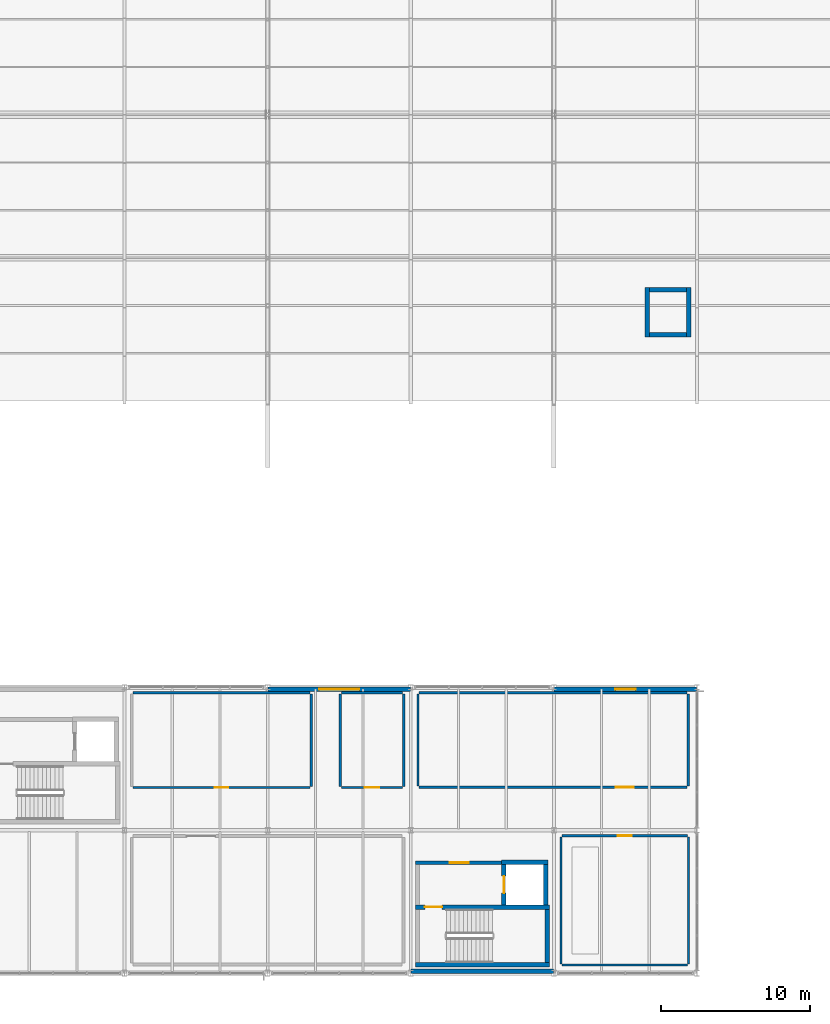
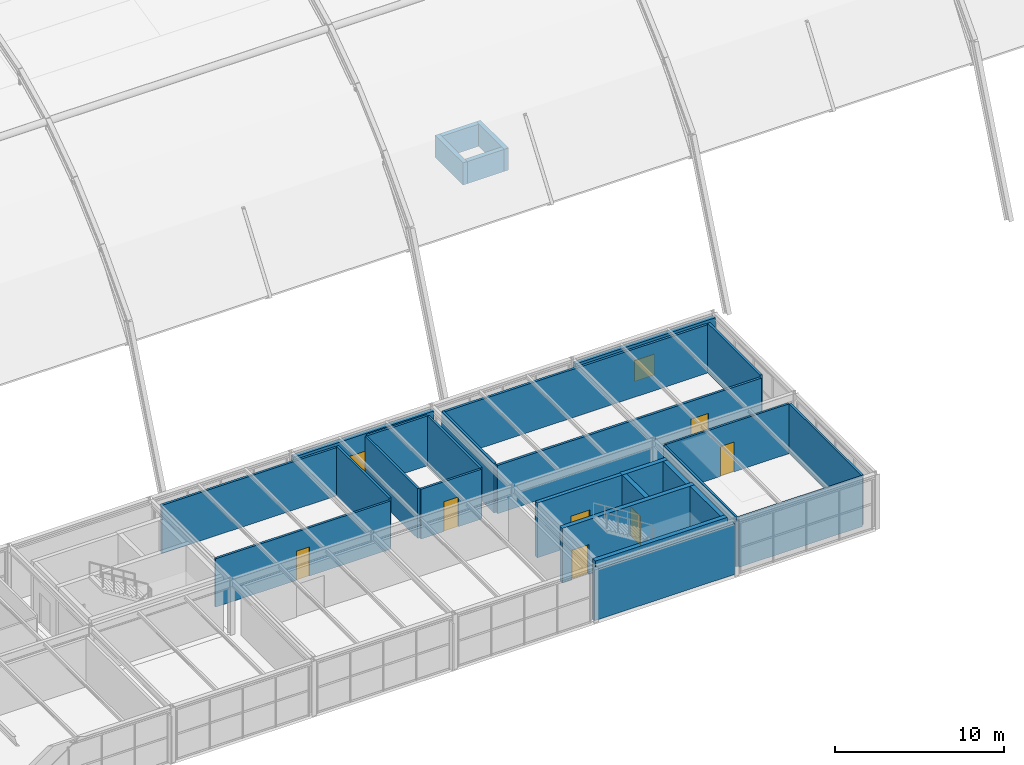
# One storey, part 118 of 126: 29 walls, 7 doors, 2 windows, 9 openings.
"""IFC4 building model written with IfcOpenShell, lengths in metres."""

from ifc_helpers import new_model, si_unit, direction, frame, frame_2d, origin, place, context, subcontext, project, spatial, rectangle, extrude, material, layer, layer_set, type_object, element, fill, save


model = new_model("IFC4")

# Units and contexts
model_context = context("Model", 3, precision=1e-05, world=origin(), true_north=direction((0.0, 1.0)))
body_context = subcontext(model_context, "Body", "Model", "MODEL_VIEW")
ifc_project = project(units=[si_unit("LENGTHUNIT", "METRE"), si_unit("AREAUNIT", "SQUARE_METRE"), si_unit("VOLUMEUNIT", "CUBIC_METRE"), si_unit("PLANEANGLEUNIT", "RADIAN"), si_unit("MASSUNIT", "GRAM", prefix="KILO")], contexts=[model_context])

# Site, building, storey
site_placement = place(None, origin())
site = spatial("IfcSite", under=ifc_project, at=site_placement, CompositionType="ELEMENT")
building_placement = place(site_placement, origin())
building = spatial("IfcBuilding", under=site, at=building_placement, Name="Coralgate Yard Interchange", CompositionType="ELEMENT")
storey_placement = place(building_placement, frame((0.0, 0.0, 10.5)))
storey = spatial("IfcBuildingStorey", under=building, at=storey_placement, Name="L02", CompositionType="ELEMENT", Elevation=10.5)

# Wall
ifc_material_1 = material(Name="Concrete C40/50", Category="concrete")
ifc_layer_1 = layer(ifc_material_1, 0.300048828125)
ifc_layer_set_1 = layer_set([ifc_layer_1], Name="Concrete C40/50")
wall_type_1 = type_object("IfcWallType", Name="WAL-CW300", PredefinedType="SHEAR", material=ifc_layer_set_1)
wall_1_placement = place(storey_placement, frame((77.10009765625, 0.570068359375, 0.0), z_axis=(0.0, 0.0, 1.0), x_axis=(1.0, 0.0, 0.0)))
element("IfcWall", 1, at=wall_1_placement, inside=storey, type_object=wall_type_1, Name="C4 L02 stair south shear wall", PredefinedType="SHEAR", context=body_context, shape_type="SweptSolid", body=[
    extrude(rectangle(XDim=9.0, YDim=0.300048828125, at=frame_2d((4.5, 0.0))), origin(), (0.0, 0.0, 1.0), 3.949951171875),
])

# Wall, opening, door
wall_2_placement = place(storey_placement, frame((86.10009765625, 4.449951171875, 0.0), z_axis=(0.0, 0.0, 1.0), x_axis=(-1.0, 0.0, 0.0)))
wall_2 = element("IfcWall", 2, at=wall_2_placement, inside=storey, type_object=wall_type_1, Name="C4 L02 stair north shear wall", PredefinedType="SHEAR", context=body_context, shape_type="SweptSolid", body=[
    extrude(rectangle(XDim=9.0, YDim=0.300048828125, at=frame_2d((4.5, 0.0))), origin(), (0.0, 0.0, 1.0), 3.949951171875),
])
opening_1_placement = place(wall_2_placement, frame((7.199951171875, 0.0, 0.0)))
opening_1 = element("IfcOpeningElement", 3, at=opening_1_placement, cuts=wall_2, Name="Opening FD-1B", PredefinedType="OPENING", context=body_context, shape_type="SweptSolid", body=[
    extrude(rectangle(XDim=1.14990234375, YDim=2.14990234375, at=frame_2d((0.574951171875, 1.074951171875))), frame((0.0, 0.159912109375, 0.0), z_axis=(0.0, -1.0, 0.0), x_axis=(1.0, 0.0, 0.0)), (0.0, 0.0, 1.0), 0.320068359375),
])
ifc_material_2 = material(Name="Powder-coated steel fire door assembly", Category="steel")
door_type_1 = type_object("IfcDoorType", Name="DOR-FD-1B", OperationType="NOTDEFINED", PredefinedType="DOOR", material=ifc_material_2)
door_1_placement = place(opening_1_placement, frame((1.14990234375, 0.0, 0.0), z_axis=(0.0, 0.0, 1.0), x_axis=(-1.0, 0.0, 0.0)))
door_1 = element("IfcDoor", 4, at=door_1_placement, inside=storey, type_object=door_type_1, Name="C4 L02 stair fire door", OperationType="SINGLE_SWING_RIGHT", OverallHeight=2.14990234375, OverallWidth=1.14990234375, PredefinedType="DOOR", context=body_context, shape_type="SweptSolid", body=[
    extrude(rectangle(XDim=1.14990234375, YDim=2.14990234375, at=frame_2d((0.574951171875, 1.074951171875))), frame((0.0, 0.02490234375, 0.0), z_axis=(0.0, -1.0, 0.0), x_axis=(1.0, 0.0, 0.0)), (0.0, 0.0, 1.0), 0.050048828125),
])
fill(opening_1, door_1)

# Wall
wall_3_placement = place(storey_placement, frame((85.949951171875, 4.300048828125, 0.0), z_axis=(0.0, 0.0, 1.0), x_axis=(0.0, -1.0, 0.0)))
element("IfcWall", 5, at=wall_3_placement, inside=storey, type_object=wall_type_1, Name="C4 L02 stair east shear wall", PredefinedType="SHEAR", context=body_context, shape_type="SweptSolid", body=[
    extrude(rectangle(XDim=3.580078125, YDim=0.300048828125, at=frame_2d((1.7900390625, 0.0))), origin(), (0.0, 0.0, 1.0), 3.949951171875),
])

# Wall, opening, door
wall_4_placement = place(storey_placement, frame((83.050048828125, 7.300048828125, 0.0), z_axis=(0.0, 0.0, 1.0), x_axis=(0.0, -1.0, 0.0)))
wall_4 = element("IfcWall", 6, at=wall_4_placement, inside=storey, type_object=wall_type_1, Name="C4 L02 lift front shear wall", PredefinedType="SHEAR", context=body_context, shape_type="SweptSolid", body=[
    extrude(rectangle(XDim=2.699951171875, YDim=0.300048828125, at=frame_2d((1.35009765625, 0.0))), origin(), (0.0, 0.0, 1.0), 3.949951171875),
])
opening_2_placement = place(wall_4_placement, frame((0.77490234375, 0.0, 0.0)))
opening_2 = element("IfcOpeningElement", 7, at=opening_2_placement, cuts=wall_4, Name="Opening LD-2", PredefinedType="OPENING", context=body_context, shape_type="SweptSolid", body=[
    extrude(rectangle(XDim=1.14990234375, YDim=2.10009765625, at=frame_2d((0.574951171875, 1.050048828125))), frame((0.0, 0.159912109375, 0.0), z_axis=(0.0, -1.0, 0.0), x_axis=(1.0, 0.0, 0.0)), (0.0, 0.0, 1.0), 0.320068359375),
])
ifc_material_3 = material(Name="Brushed stainless steel passenger lift landing door", Category="steel")
door_type_2 = type_object("IfcDoorType", Name="DOR-LD-2", OperationType="DOUBLE_DOOR_SLIDING", PredefinedType="DOOR", material=ifc_material_3)
door_2_placement = place(opening_2_placement, frame((1.14990234375, 0.0, 0.0), z_axis=(0.0, 0.0, 1.0), x_axis=(-1.0, 0.0, 0.0)))
door_2 = element("IfcDoor", 8, at=door_2_placement, inside=storey, type_object=door_type_2, Name="LF-02 L02 sliding lift landing door", OperationType="DOUBLE_DOOR_SLIDING", OverallHeight=2.10009765625, OverallWidth=1.14990234375, PredefinedType="DOOR", context=body_context, shape_type="SweptSolid", body=[
    extrude(rectangle(XDim=1.14990234375, YDim=2.10009765625, at=frame_2d((0.574951171875, 1.050048828125))), frame((0.0, 0.02490234375, 0.0), z_axis=(0.0, -1.0, 0.0), x_axis=(1.0, 0.0, 0.0)), (0.0, 0.0, 1.0), 0.050048828125),
])
fill(opening_2, door_2)

# Walls
wall_5_placement = place(storey_placement, frame((85.85009765625, 4.60009765625, 0.0), z_axis=(0.0, 0.0, 1.0), x_axis=(0.0, 1.0, 0.0)))
element("IfcWall", 9, at=wall_5_placement, inside=storey, type_object=wall_type_1, Name="C4 L02 lift rear shear wall", PredefinedType="SHEAR", context=body_context, shape_type="SweptSolid", body=[
    extrude(rectangle(XDim=2.699951171875, YDim=0.300048828125, at=frame_2d((1.35009765625, 0.0))), origin(), (0.0, 0.0, 1.0), 3.949951171875),
])
wall_6_placement = place(storey_placement, frame((82.89990234375, 7.449951171875, 0.0), z_axis=(0.0, 0.0, 1.0), x_axis=(1.0, 0.0, 0.0)))
element("IfcWall", 10, at=wall_6_placement, inside=storey, type_object=wall_type_1, Name="C4 L02 lift north shear wall", PredefinedType="SHEAR", context=body_context, shape_type="SweptSolid", body=[
    extrude(rectangle(XDim=3.10009765625, YDim=0.300048828125, at=frame_2d((1.550048828125, 0.0))), origin(), (0.0, 0.0, 1.0), 3.949951171875),
])
for number, where, z_axis, x_axis, name in (
    (11, (92.64990234375, 42.699951171875, 0.0), (0.0, 0.0, 1.0), (0.0, 1.0, 0.0), "LF-04 lift overrun wall W"),
    (12, (95.449951171875, 42.699951171875, 0.0), (0.0, 0.0, 1.0), (0.0, 1.0, 0.0), "LF-04 lift overrun wall E"),
):
    element("IfcWall", number, at=place(storey_placement, frame(where, z_axis=z_axis, x_axis=x_axis)), inside=storey, type_object=wall_type_1, Name=name, PredefinedType="SHEAR", context=body_context, shape_type="SweptSolid", body=[
        extrude(rectangle(XDim=3.300048828125, YDim=0.300048828125, at=frame_2d((1.64990234375, 0.0))), origin(), (0.0, 0.0, 1.0), 1.60009765625),
    ])
for number, where, z_axis, x_axis, name in (
    (13, (92.800048828125, 42.85009765625, 0.0), (0.0, 0.0, 1.0), (1.0, 0.0, 0.0), "LF-04 lift overrun wall S"),
    (14, (92.800048828125, 45.85009765625, 0.0), (0.0, 0.0, 1.0), (1.0, 0.0, 0.0), "LF-04 lift overrun wall N"),
):
    element("IfcWall", number, at=place(storey_placement, frame(where, z_axis=z_axis, x_axis=x_axis)), inside=storey, type_object=wall_type_1, Name=name, PredefinedType="SHEAR", context=body_context, shape_type="SweptSolid", body=[
        extrude(rectangle(XDim=2.5, YDim=0.300048828125, at=frame_2d((1.25, 0.0))), origin(), (0.0, 0.0, 1.0), 1.60009765625),
    ])

# Wall, opening, window
ifc_material_4 = material(Name="Precast concrete C40/50", Category="concrete")
ifc_layer_2 = layer(ifc_material_4, 0.280029296875)
ifc_layer_set_2 = layer_set([ifc_layer_2], Name="Precast concrete C40/50")
wall_type_2 = type_object("IfcWallType", Name="WAL-EW-280", PredefinedType="SOLIDWALL", material=ifc_layer_set_2)
wall_7_placement = place(storey_placement, frame((67.219970703125, 19.06005859375, 0.0), z_axis=(0.0, 0.0, 1.0), x_axis=(1.0, 0.0, 0.0)))
wall_7 = element("IfcWall", 15, at=wall_7_placement, inside=storey, type_object=wall_type_2, Name="L02 exterior coastal wall N 7-1", PredefinedType="SOLIDWALL", context=body_context, shape_type="SweptSolid", body=[
    extrude(rectangle(XDim=9.56005859375, YDim=0.280029296875, at=frame_2d((4.780029296875, 0.0))), origin(), (0.0, 0.0, 1.0), 3.659912109375),
])
opening_3_placement = place(wall_7_placement, frame((3.429931640625, 0.0, 0.89990234375)))
opening_3 = element("IfcOpeningElement", 16, at=opening_3_placement, cuts=wall_7, Name="Opening W-09", PredefinedType="OPENING", context=body_context, shape_type="SweptSolid", body=[
    extrude(rectangle(XDim=2.699951171875, YDim=1.5, at=frame_2d((1.35009765625, 0.75))), frame((0.0, 0.14990234375, 0.0), z_axis=(0.0, -1.0, 0.0), x_axis=(1.0, 0.0, 0.0)), (0.0, 0.0, 1.0), 0.300048828125),
])
ifc_material_5 = material(Name="Thermally broken anodised aluminium and solar-control low-E glass", Category="aluminium")
window_type_1 = type_object("IfcWindowType", Name="WIN-W-09", PartitioningType="SINGLE_PANEL", PredefinedType="WINDOW", material=ifc_material_5)
window_1_placement = place(opening_3_placement, origin())
window_1 = element("IfcWindow", 17, at=window_1_placement, inside=storey, type_object=window_type_1, Name="L02 coastal facade window N-7-1", OverallHeight=1.5, OverallWidth=2.699951171875, PartitioningType="SINGLE_PANEL", PredefinedType="WINDOW", context=body_context, shape_type="SweptSolid", body=[
    extrude(rectangle(XDim=2.699951171875, YDim=1.5, at=frame_2d((1.35009765625, 0.75))), frame((0.0, 0.030029296875, 0.0), z_axis=(0.0, -1.0, 0.0), x_axis=(1.0, 0.0, 0.0)), (0.0, 0.0, 1.0), 0.06005859375),
])
fill(opening_3, window_1)

# Wall
wall_8_placement = place(storey_placement, frame((86.3798828125, 0.139892578125, 0.0), z_axis=(0.0, 0.0, 1.0), x_axis=(-1.0, 0.0, 0.0)))
element("IfcWall", 18, at=wall_8_placement, inside=storey, type_object=wall_type_2, Name="L02 exterior coastal wall S 8-0", PredefinedType="SOLIDWALL", context=body_context, shape_type="SweptSolid", body=[
    extrude(rectangle(XDim=9.559814453125, YDim=0.280029296875, at=frame_2d((4.77978515625, 0.0))), origin(), (0.0, 0.0, 1.0), 3.659912109375),
])

# Wall, opening, window
wall_9_placement = place(storey_placement, frame((86.419921875, 19.06005859375, 0.0), z_axis=(0.0, 0.0, 1.0), x_axis=(1.0, 0.0, 0.0)))
wall_9 = element("IfcWall", 19, at=wall_9_placement, inside=storey, type_object=wall_type_2, Name="L02 exterior coastal wall N 9-1", PredefinedType="SOLIDWALL", context=body_context, shape_type="SweptSolid", body=[
    extrude(rectangle(XDim=9.56005859375, YDim=0.280029296875, at=frame_2d((4.780029296875, 0.0))), origin(), (0.0, 0.0, 1.0), 3.659912109375),
])
opening_4_placement = place(wall_9_placement, frame((4.10498046875, 0.0, 0.89990234375)))
opening_4 = element("IfcOpeningElement", 20, at=opening_4_placement, cuts=wall_9, Name="Opening W-15", PredefinedType="OPENING", context=body_context, shape_type="SweptSolid", body=[
    extrude(rectangle(XDim=1.35009765625, YDim=1.5, at=frame_2d((0.675048828125, 0.75))), frame((0.0, 0.14990234375, 0.0), z_axis=(0.0, -1.0, 0.0), x_axis=(1.0, 0.0, 0.0)), (0.0, 0.0, 1.0), 0.300048828125),
])
window_type_2 = type_object("IfcWindowType", Name="WIN-W-15", PartitioningType="SINGLE_PANEL", PredefinedType="WINDOW", material=ifc_material_5)
window_2_placement = place(opening_4_placement, origin())
window_2 = element("IfcWindow", 21, at=window_2_placement, inside=storey, type_object=window_type_2, Name="L02 coastal facade window N-9-1", OverallHeight=1.5, OverallWidth=1.35009765625, PartitioningType="SINGLE_PANEL", PredefinedType="WINDOW", context=body_context, shape_type="SweptSolid", body=[
    extrude(rectangle(XDim=1.35009765625, YDim=1.5, at=frame_2d((0.675048828125, 0.75))), frame((0.0, 0.030029296875, 0.0), z_axis=(0.0, -1.0, 0.0), x_axis=(1.0, 0.0, 0.0)), (0.0, 0.0, 1.0), 0.06005859375),
])
fill(opening_4, window_2)

# Wall
ifc_material_6 = material(Name="Acoustic twin-stud office partition")
ifc_layer_3 = layer(ifc_material_6, 0.139892578125)
ifc_layer_set_3 = layer_set([ifc_layer_3], Name="Acoustic twin-stud office partition")
wall_type_3 = type_object("IfcWallType", Name="WAL-PW-140", PredefinedType="PARTITIONING", material=ifc_layer_set_3)
wall_10_placement = place(storey_placement, frame((95.360107421875, 0.570068359375, 0.0), z_axis=(0.0, 0.0, 1.0), x_axis=(-1.0, 0.0, 0.0)))
element("IfcWall", 22, at=wall_10_placement, inside=storey, type_object=wall_type_3, Name="Traffic Signal Coordination Office partition S", PredefinedType="PARTITIONING", context=body_context, shape_type="SweptSolid", body=[
    extrude(rectangle(XDim=8.420166015625, YDim=0.139892578125, at=frame_2d((4.2099609375, 0.0))), origin(), (0.0, 0.0, 1.0), 3.590087890625),
])

# Wall, opening, door
wall_11_placement = place(storey_placement, frame((86.93994140625, 9.22998046875, 0.0), z_axis=(0.0, 0.0, 1.0), x_axis=(1.0, 0.0, 0.0)))
wall_11 = element("IfcWall", 23, at=wall_11_placement, inside=storey, type_object=wall_type_3, Name="Traffic Signal Coordination Office partition N", PredefinedType="PARTITIONING", context=body_context, shape_type="SweptSolid", body=[
    extrude(rectangle(XDim=8.420166015625, YDim=0.139892578125, at=frame_2d((4.2099609375, 0.0))), origin(), (0.0, 0.0, 1.0), 3.590087890625),
])
opening_5_placement = place(wall_11_placement, frame((3.75, 0.0, 0.0)))
opening_5 = element("IfcOpeningElement", 24, at=opening_5_placement, cuts=wall_11, Name="Opening ID-11", PredefinedType="OPENING", context=body_context, shape_type="SweptSolid", body=[
    extrude(rectangle(XDim=0.919921875, YDim=2.14990234375, at=frame_2d((0.4599609375, 1.074951171875))), frame((0.0, 0.079833984375, 0.0), z_axis=(0.0, -1.0, 0.0), x_axis=(1.0, 0.0, 0.0)), (0.0, 0.0, 1.0), 0.159912109375),
])
ifc_material_7 = material(Name="Timber administrative room door", Category="wood")
door_type_3 = type_object("IfcDoorType", Name="DOR-ID-11", OperationType="NOTDEFINED", PredefinedType="DOOR", material=ifc_material_7)
door_3_placement = place(opening_5_placement, frame((0.919921875, 0.0, 0.0), z_axis=(0.0, 0.0, 1.0), x_axis=(-1.0, 0.0, 0.0)))
door_3 = element("IfcDoor", 25, at=door_3_placement, inside=storey, type_object=door_type_3, Name="Traffic Signal Coordination Office door", OperationType="SINGLE_SWING_RIGHT", OverallHeight=2.14990234375, OverallWidth=0.919921875, PredefinedType="DOOR", context=body_context, shape_type="SweptSolid", body=[
    extrude(rectangle(XDim=0.919921875, YDim=2.14990234375, at=frame_2d((0.4599609375, 1.074951171875))), frame((0.0, 0.02490234375, 0.0), z_axis=(0.0, -1.0, 0.0), x_axis=(1.0, 0.0, 0.0)), (0.0, 0.0, 1.0), 0.050048828125),
])
fill(opening_5, door_3)

# Walls
for number, where, z_axis, x_axis, name in (
    (26, (86.8701171875, 0.639892578125, 0.0), (0.0, 0.0, 1.0), (0.0, 1.0, 0.0), "Traffic Signal Coordination Office partition W"),
    (27, (95.429931640625, 9.159912109375, 0.0), (0.0, 0.0, 1.0), (0.0, -1.0, 0.0), "Traffic Signal Coordination Office partition E"),
):
    element("IfcWall", number, at=place(storey_placement, frame(where, z_axis=z_axis, x_axis=x_axis)), inside=storey, type_object=wall_type_3, Name=name, PredefinedType="PARTITIONING", context=body_context, shape_type="SweptSolid", body=[
        extrude(rectangle(XDim=8.52001953125, YDim=0.139892578125, at=frame_2d((4.260009765625, 0.0))), origin(), (0.0, 0.0, 1.0), 3.590087890625),
    ])

# Wall, opening, door
ifc_material_8 = material(Name="Moisture-resistant masonry washroom wall", Category="masonry")
ifc_layer_4 = layer(ifc_material_8, 0.14990234375)
ifc_layer_set_4 = layer_set([ifc_layer_4], Name="Moisture-resistant masonry washroom wall")
wall_type_4 = type_object("IfcWallType", Name="WAL-PW-150", PredefinedType="PLUMBINGWALL", material=ifc_layer_set_4)
wall_12_placement = place(storey_placement, frame((70.050048828125, 12.47509765625, 0.0), z_axis=(0.0, 0.0, 1.0), x_axis=(-1.0, 0.0, 0.0)))
wall_12 = element("IfcWall", 28, at=wall_12_placement, inside=storey, type_object=wall_type_4, Name="L02 Operations Staff Washroom partition S", PredefinedType="PLUMBINGWALL", context=body_context, shape_type="SweptSolid", body=[
    extrude(rectangle(XDim=11.900146484375, YDim=0.14990234375, at=frame_2d((5.9501953125, 0.0))), origin(), (0.0, 0.0, 1.0), 3.48291015625),
])
opening_6_placement = place(wall_12_placement, frame((5.5, 0.0, 0.0)))
opening_6 = element("IfcOpeningElement", 29, at=opening_6_placement, cuts=wall_12, Name="Opening ID-10", PredefinedType="OPENING", context=body_context, shape_type="SweptSolid", body=[
    extrude(rectangle(XDim=0.89990234375, YDim=2.10009765625, at=frame_2d((0.449951171875, 1.050048828125))), frame((0.0, 0.0849609375, 0.0), z_axis=(0.0, -1.0, 0.0), x_axis=(1.0, 0.0, 0.0)), (0.0, 0.0, 1.0), 0.169921875),
])
ifc_material_9 = material(Name="Moisture-resistant laminate washroom door")
door_type_4 = type_object("IfcDoorType", Name="DOR-ID-10", OperationType="NOTDEFINED", PredefinedType="DOOR", material=ifc_material_9)
door_4_placement = place(opening_6_placement, frame((0.89990234375, 0.0, 0.0), z_axis=(0.0, 0.0, 1.0), x_axis=(-1.0, 0.0, 0.0)))
door_4 = element("IfcDoor", 30, at=door_4_placement, inside=storey, type_object=door_type_4, Name="L02 Operations Staff Washroom door", OperationType="SINGLE_SWING_RIGHT", OverallHeight=2.10009765625, OverallWidth=0.89990234375, PredefinedType="DOOR", context=body_context, shape_type="SweptSolid", body=[
    extrude(rectangle(XDim=0.89990234375, YDim=2.10009765625, at=frame_2d((0.449951171875, 1.050048828125))), frame((0.0, 0.02490234375, 0.0), z_axis=(0.0, -1.0, 0.0), x_axis=(1.0, 0.0, 0.0)), (0.0, 0.0, 1.0), 0.050048828125),
])
fill(opening_6, door_4)

# Walls
wall_13_placement = place(storey_placement, frame((58.14990234375, 18.824951171875, 0.0), z_axis=(0.0, 0.0, 1.0), x_axis=(1.0, 0.0, 0.0)))
element("IfcWall", 31, at=wall_13_placement, inside=storey, type_object=wall_type_4, Name="L02 Operations Staff Washroom partition N", PredefinedType="PLUMBINGWALL", context=body_context, shape_type="SweptSolid", body=[
    extrude(rectangle(XDim=11.900146484375, YDim=0.14990234375, at=frame_2d((5.9501953125, 0.0))), origin(), (0.0, 0.0, 1.0), 3.48291015625),
])
wall_14_placement = place(storey_placement, frame((70.125, 18.75, 0.0), z_axis=(0.0, 0.0, 1.0), x_axis=(0.0, -1.0, 0.0)))
element("IfcWall", 32, at=wall_14_placement, inside=storey, type_object=wall_type_4, Name="L02 Operations Staff Washroom partition E", PredefinedType="PLUMBINGWALL", context=body_context, shape_type="SweptSolid", body=[
    extrude(rectangle(XDim=6.199951171875, YDim=0.14990234375, at=frame_2d((3.10009765625, 0.0))), origin(), (0.0, 0.0, 1.0), 3.590087890625),
])

# Wall, opening, door
wall_15_placement = place(storey_placement, frame((76.25, 12.47509765625, 0.0), z_axis=(0.0, 0.0, 1.0), x_axis=(-1.0, 0.0, 0.0)))
wall_15 = element("IfcWall", 33, at=wall_15_placement, inside=storey, type_object=wall_type_4, Name="L02 Accessible WC partition S", PredefinedType="PLUMBINGWALL", context=body_context, shape_type="SweptSolid", body=[
    extrude(rectangle(XDim=4.10009765625, YDim=0.14990234375, at=frame_2d((2.050048828125, 0.0))), origin(), (0.0, 0.0, 1.0), 3.590087890625),
])
opening_7_placement = place(wall_15_placement, frame((1.550048828125, 0.0, 0.0)))
opening_7 = element("IfcOpeningElement", 34, at=opening_7_placement, cuts=wall_15, Name="Opening ID-02", PredefinedType="OPENING", context=body_context, shape_type="SweptSolid", body=[
    extrude(rectangle(XDim=1.0, YDim=2.14990234375, at=frame_2d((0.5, 1.074951171875))), frame((0.0, 0.0849609375, 0.0), z_axis=(0.0, -1.0, 0.0), x_axis=(1.0, 0.0, 0.0)), (0.0, 0.0, 1.0), 0.169921875),
])
ifc_material_10 = material(Name="Accessible wide-leaf washroom and office door")
door_type_5 = type_object("IfcDoorType", Name="DOR-ID-02", OperationType="NOTDEFINED", PredefinedType="DOOR", material=ifc_material_10)
door_5_placement = place(opening_7_placement, frame((1.0, 0.0, 0.0), z_axis=(0.0, 0.0, 1.0), x_axis=(-1.0, 0.0, 0.0)))
door_5 = element("IfcDoor", 35, at=door_5_placement, inside=storey, type_object=door_type_5, Name="L02 Accessible WC door", OperationType="SINGLE_SWING_LEFT", OverallHeight=2.14990234375, OverallWidth=1.0, PredefinedType="DOOR", context=body_context, shape_type="SweptSolid", body=[
    extrude(rectangle(XDim=1.0, YDim=2.14990234375, at=frame_2d((0.5, 1.074951171875))), frame((0.0, 0.02490234375, 0.0), z_axis=(0.0, -1.0, 0.0), x_axis=(1.0, 0.0, 0.0)), (0.0, 0.0, 1.0), 0.050048828125),
])
fill(opening_7, door_5)

# Walls
wall_16_placement = place(storey_placement, frame((72.14990234375, 18.824951171875, 0.0), z_axis=(0.0, 0.0, 1.0), x_axis=(1.0, 0.0, 0.0)))
element("IfcWall", 36, at=wall_16_placement, inside=storey, type_object=wall_type_4, Name="L02 Accessible WC partition N", PredefinedType="PLUMBINGWALL", context=body_context, shape_type="SweptSolid", body=[
    extrude(rectangle(XDim=4.10009765625, YDim=0.14990234375, at=frame_2d((2.050048828125, 0.0))), origin(), (0.0, 0.0, 1.0), 3.590087890625),
])
for number, where, z_axis, x_axis, name in (
    (37, (72.074951171875, 12.550048828125, 0.0), (0.0, 0.0, 1.0), (0.0, 1.0, 0.0), "L02 Accessible WC partition W"),
    (38, (76.324951171875, 18.75, 0.0), (0.0, 0.0, 1.0), (0.0, -1.0, 0.0), "L02 Accessible WC partition E"),
):
    element("IfcWall", number, at=place(storey_placement, frame(where, z_axis=z_axis, x_axis=x_axis)), inside=storey, type_object=wall_type_4, Name=name, PredefinedType="PLUMBINGWALL", context=body_context, shape_type="SweptSolid", body=[
        extrude(rectangle(XDim=6.199951171875, YDim=0.14990234375, at=frame_2d((3.10009765625, 0.0))), origin(), (0.0, 0.0, 1.0), 3.590087890625),
    ])

# Wall, opening, door
ifc_material_11 = material(Name="Fire-rated twin-stud gypsum partition")
ifc_layer_5 = layer(ifc_material_11, 0.159912109375)
ifc_layer_set_5 = layer_set([ifc_layer_5], Name="Fire-rated twin-stud gypsum partition")
wall_type_5 = type_object("IfcWallType", Name="WAL-PW-160", PredefinedType="PARTITIONING", material=ifc_layer_set_5)
wall_17_placement = place(storey_placement, frame((95.340087890625, 12.47998046875, 0.0), z_axis=(0.0, 0.0, 1.0), x_axis=(-1.0, 0.0, 0.0)))
wall_17 = element("IfcWall", 39, at=wall_17_placement, inside=storey, type_object=wall_type_5, Name="Control Consumables Store partition S", PredefinedType="PARTITIONING", context=body_context, shape_type="SweptSolid", body=[
    extrude(rectangle(XDim=17.97998046875, YDim=0.159912109375, at=frame_2d((8.989990234375, 0.0))), origin(), (0.0, 0.0, 1.0), 3.48291015625),
])
opening_8_placement = place(wall_17_placement, frame((3.60009765625, 0.0, 0.0)))
opening_8 = element("IfcOpeningElement", 40, at=opening_8_placement, cuts=wall_17, Name="Opening ID-05", PredefinedType="OPENING", context=body_context, shape_type="SweptSolid", body=[
    extrude(rectangle(XDim=1.199951171875, YDim=2.199951171875, at=frame_2d((0.60009765625, 1.10009765625))), frame((0.0, 0.08984375, 0.0), z_axis=(0.0, -1.0, 0.0), x_axis=(1.0, 0.0, 0.0)), (0.0, 0.0, 1.0), 0.179931640625),
])
ifc_material_12 = material(Name="Powder-coated steel plant and store fire door", Category="steel")
door_type_6 = type_object("IfcDoorType", Name="DOR-ID-05", OperationType="NOTDEFINED", PredefinedType="DOOR", material=ifc_material_12)
door_6_placement = place(opening_8_placement, frame((1.199951171875, 0.0, 0.0), z_axis=(0.0, 0.0, 1.0), x_axis=(-1.0, 0.0, 0.0)))
door_6 = element("IfcDoor", 41, at=door_6_placement, inside=storey, type_object=door_type_6, Name="Control Consumables Store door", OperationType="SINGLE_SWING_RIGHT", OverallHeight=2.199951171875, OverallWidth=1.199951171875, PredefinedType="DOOR", context=body_context, shape_type="SweptSolid", body=[
    extrude(rectangle(XDim=1.199951171875, YDim=2.199951171875, at=frame_2d((0.60009765625, 1.10009765625))), frame((0.0, 0.02490234375, 0.0), z_axis=(0.0, -1.0, 0.0), x_axis=(1.0, 0.0, 0.0)), (0.0, 0.0, 1.0), 0.050048828125),
])
fill(opening_8, door_6)

# Walls
wall_18_placement = place(storey_placement, frame((77.360107421875, 18.820068359375, 0.0), z_axis=(0.0, 0.0, 1.0), x_axis=(1.0, 0.0, 0.0)))
element("IfcWall", 42, at=wall_18_placement, inside=storey, type_object=wall_type_5, Name="Control Consumables Store partition N", PredefinedType="PARTITIONING", context=body_context, shape_type="SweptSolid", body=[
    extrude(rectangle(XDim=17.97998046875, YDim=0.159912109375, at=frame_2d((8.989990234375, 0.0))), origin(), (0.0, 0.0, 1.0), 3.48291015625),
])
for number, where, z_axis, x_axis, name in (
    (43, (77.280029296875, 12.56005859375, 0.0), (0.0, 0.0, 1.0), (0.0, 1.0, 0.0), "Control Consumables Store partition W"),
    (44, (95.419921875, 18.739990234375, 0.0), (0.0, 0.0, 1.0), (0.0, -1.0, 0.0), "Control Consumables Store partition E"),
):
    element("IfcWall", number, at=place(storey_placement, frame(where, z_axis=z_axis, x_axis=x_axis)), inside=storey, type_object=wall_type_5, Name=name, PredefinedType="PARTITIONING", context=body_context, shape_type="SweptSolid", body=[
        extrude(rectangle(XDim=6.179931640625, YDim=0.159912109375, at=frame_2d((3.08984375, 0.0))), origin(), (0.0, 0.0, 1.0), 3.590087890625),
    ])

# Wall, opening, door
ifc_layer_6 = layer(ifc_material_1, 0.25)
ifc_layer_set_6 = layer_set([ifc_layer_6], Name="Concrete C40/50")
wall_type_6 = type_object("IfcWallType", Name="WAL-SW250", PredefinedType="SHEAR", material=ifc_layer_set_6)
wall_19_placement = place(storey_placement, frame((82.89990234375, 7.425048828125, 0.0), z_axis=(0.0, 0.0, 1.0), x_axis=(-1.0, 0.0, 0.0)))
wall_19 = element("IfcWall", 45, at=wall_19_placement, inside=storey, type_object=wall_type_6, Name="C4 L02 lobby north fire wall", PredefinedType="SHEAR", context=body_context, shape_type="SweptSolid", body=[
    extrude(rectangle(XDim=5.77490234375, YDim=0.25, at=frame_2d((2.887451171875, 0.0))), origin(), (0.0, 0.0, 1.0), 3.949951171875),
])
opening_9_placement = place(wall_19_placement, frame((2.199951171875, 0.0, 0.0)))
opening_9 = element("IfcOpeningElement", 46, at=opening_9_placement, cuts=wall_19, Name="Opening FD-2B", PredefinedType="OPENING", context=body_context, shape_type="SweptSolid", body=[
    extrude(rectangle(XDim=1.280029296875, YDim=2.199951171875, at=frame_2d((0.64013671875, 1.10009765625))), frame((0.0, 0.135009765625, 0.0), z_axis=(0.0, -1.0, 0.0), x_axis=(1.0, 0.0, 0.0)), (0.0, 0.0, 1.0), 0.27001953125),
])
door_type_7 = type_object("IfcDoorType", Name="DOR-FD-2B", OperationType="NOTDEFINED", PredefinedType="DOOR", material=ifc_material_2)
door_7_placement = place(opening_9_placement, origin())
door_7 = element("IfcDoor", 47, at=door_7_placement, inside=storey, type_object=door_type_7, Name="C4 L02 lobby fire door", OperationType="SINGLE_SWING_LEFT", OverallHeight=2.199951171875, OverallWidth=1.280029296875, PredefinedType="DOOR", context=body_context, shape_type="SweptSolid", body=[
    extrude(rectangle(XDim=1.280029296875, YDim=2.199951171875, at=frame_2d((0.64013671875, 1.10009765625))), frame((0.0, 0.02490234375, 0.0), z_axis=(0.0, -1.0, 0.0), x_axis=(1.0, 0.0, 0.0)), (0.0, 0.0, 1.0), 0.050048828125),
])
fill(opening_9, door_7)

save(model, "model.ifc")
